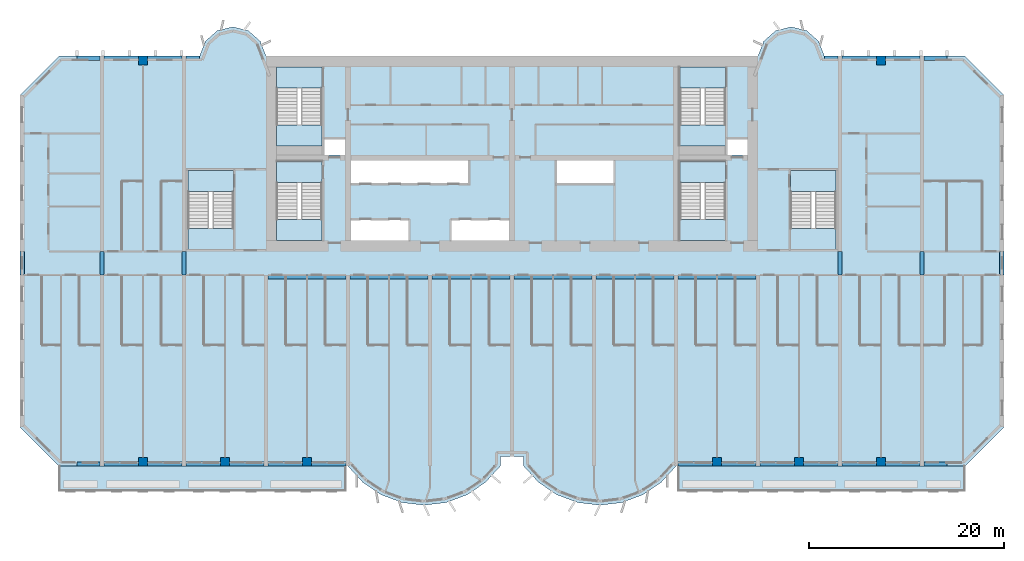
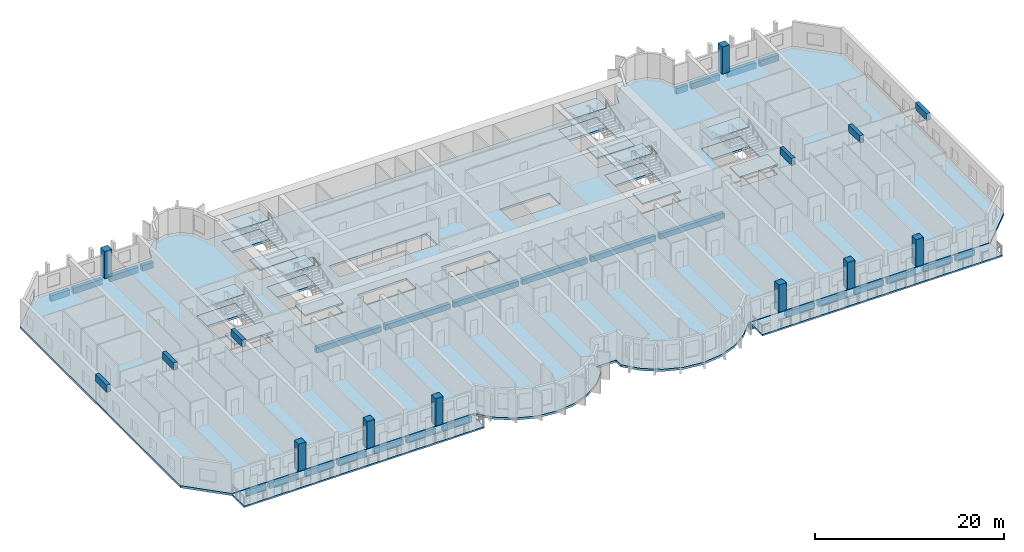
# One storey, part 1 of 15: 34 beams, 21 slabs, 8 columns, 6 elements without a shape of their own.
"""IFC4 building model written with IfcOpenShell, lengths in metres."""

import ifcopenshell
import ifcopenshell.guid

model = None  # the IFC model being written
_history = None  # IfcOwnerHistory: only IFC2X3 demands one
_inside = {}  # id of a spatial element -> (the spatial element, [elements in it])
_under = {}  # id of a project, library or spatial element -> (it, [spatial elements below it])
_declared = {}  # id of a project -> (the project, [libraries it declares])
_typed = {}  # id of a type object -> (the type object, [elements of that type])
_made_of = {}  # id of a material, layer set ... -> (it, [elements and type objects made of it])


def new_model(schema):
    """Start an empty IFC model of exactly this schema.

    Asked for "IFC4X3", IfcOpenShell would pick the latest addendum, in which some entities
    have other attributes; the version numbers below select the first issue.
    IFC2X3 requires an IfcOwnerHistory on every rooted entity: one is made here for all.
    """
    global model, _history
    if schema == "IFC4X3":
        model = ifcopenshell.file(schema_version=(4, 3, 0, 0))
    else:
        model = ifcopenshell.file(schema=schema)
    _inside.clear()
    _under.clear()
    _declared.clear()
    _typed.clear()
    _made_of.clear()
    _history = None
    if model.schema == "IFC2X3":
        org = make("IfcOrganization", Name="unknown")
        user = make(
            "IfcPersonAndOrganization",
            ThePerson=make("IfcPerson", FamilyName="unknown"),
            TheOrganization=org,
        )
        app = make(
            "IfcApplication",
            ApplicationDeveloper=org,
            Version="unknown",
            ApplicationFullName="unknown",
            ApplicationIdentifier="unknown",
        )
        _history = make(
            "IfcOwnerHistory",
            OwningUser=user,
            OwningApplication=app,
            ChangeAction="ADDED",
            CreationDate=0,
        )
    return model


def make(cls, **values):
    """One entity of the class cls with the attributes given. An attribute that is None is left unset."""
    return model.create_entity(
        cls, **{name: value for name, value in values.items() if value is not None}
    )


def rooted(cls, **values):
    """An entity with a GlobalId (a new one), such as an element, a storey or a relation."""
    return make(cls, GlobalId=ifcopenshell.guid.new(), OwnerHistory=_history, **values)


def si_unit(unit_type, name, prefix=None):
    """IfcSIUnit, for example si_unit("LENGTHUNIT", "METRE", prefix="MILLI")."""
    return make("IfcSIUnit", UnitType=unit_type, Prefix=prefix, Name=name)


def assignment(units):
    """IfcUnitAssignment: the units of a project."""
    return None if units is None else make("IfcUnitAssignment", Units=units)


def point(xyz):
    """IfcCartesianPoint."""
    return None if xyz is None else make("IfcCartesianPoint", Coordinates=xyz)


def direction(xyz):
    """IfcDirection."""
    return None if xyz is None else make("IfcDirection", DirectionRatios=xyz)


def frame(location, z_axis=None, x_axis=None):
    """IfcAxis2Placement3D, a coordinate frame: its origin and axes. An axis left out is left unset."""
    return make(
        "IfcAxis2Placement3D",
        Location=point(location),
        Axis=direction(z_axis),
        RefDirection=direction(x_axis),
    )


def frame_2d(location, x_axis=None):
    """IfcAxis2Placement2D, a coordinate frame in the plane: its origin and x axis."""
    return make(
        "IfcAxis2Placement2D", Location=point(location), RefDirection=direction(x_axis)
    )


def origin():
    """The frame at (0, 0, 0) with its axes left unset."""
    return frame((0.0, 0.0, 0.0))


def origin_2d():
    """The frame at (0, 0) in the plane with its x axis left unset."""
    return frame_2d((0.0, 0.0))


def place(relative_to, where):
    """IfcLocalPlacement: puts the frame where relative to a parent placement (None: the world)."""
    return make(
        "IfcLocalPlacement", PlacementRelTo=relative_to, RelativePlacement=where
    )


def context(
    kind, dimensions, precision=None, world=None, true_north=None, identifier=None
):
    """IfcGeometricRepresentationContext, for example the 3D "Model" context."""
    return make(
        "IfcGeometricRepresentationContext",
        ContextIdentifier=identifier,
        ContextType=kind,
        CoordinateSpaceDimension=dimensions,
        Precision=precision,
        WorldCoordinateSystem=world,
        TrueNorth=true_north,
    )


def subcontext(parent, identifier, kind, view, scale=None):
    """IfcGeometricRepresentationSubContext, for example "Body" below "Model"."""
    return make(
        "IfcGeometricRepresentationSubContext",
        ContextIdentifier=identifier,
        ContextType=kind,
        ParentContext=parent,
        TargetScale=scale,
        TargetView=view,
    )


def project(units=None, contexts=None):
    """IfcProject with its units and contexts."""
    return rooted(
        "IfcProject",
        Name="project",
        RepresentationContexts=contexts,
        UnitsInContext=assignment(units),
    )


def spatial(cls, under=None, at=None, **own):
    """A site, building, storey or space (cls), placed at a placement, below another one or the project."""
    s = rooted(cls, ObjectPlacement=at, **own)
    if under is not None:
        _under.setdefault(under.id(), (under, []))[1].append(s)
    return s


def polyline(points):
    """IfcPolyline through the points."""
    return make("IfcPolyline", Points=[point(p) for p in points])


def profile(cls, at=None, kind="AREA", **sizes):
    """A parametric profile (cls). Its sizes go by their IFC names, for example OverallWidth=200.0."""
    return make(cls, ProfileType=kind, Position=at, **sizes)


def rectangle(**sizes):
    """IfcRectangleProfileDef."""
    return profile("IfcRectangleProfileDef", **sizes)


def outline(outer, holes=None, kind="AREA"):
    """IfcArbitraryClosedProfileDef: a profile drawn as a closed curve; with holes, ...WithVoids."""
    if holes is None:
        return make("IfcArbitraryClosedProfileDef", ProfileType=kind, OuterCurve=outer)
    return make(
        "IfcArbitraryProfileDefWithVoids",
        ProfileType=kind,
        OuterCurve=outer,
        InnerCurves=holes,
    )


def extrude(swept, where, along, depth):
    """IfcExtrudedAreaSolid: the profile swept, set in the frame where, extruded along a direction by depth."""
    return make(
        "IfcExtrudedAreaSolid",
        SweptArea=swept,
        Position=where,
        ExtrudedDirection=direction(along),
        Depth=depth,
    )


def shape(context_of_items, identifier, shape_type, items):
    """IfcShapeRepresentation: the items that make up one representation, for example the "Body"."""
    return make(
        "IfcShapeRepresentation",
        ContextOfItems=context_of_items,
        RepresentationIdentifier=identifier,
        RepresentationType=shape_type,
        Items=items,
    )


def source(mapping_origin, context_of_items, identifier, shape_type, items):
    """IfcRepresentationMap: a shape defined once, which mapped items show again and again."""
    return make(
        "IfcRepresentationMap",
        MappingOrigin=mapping_origin,
        MappedRepresentation=shape(context_of_items, identifier, shape_type, items),
    )


def transform(
    local_origin,
    x_axis=None,
    y_axis=None,
    z_axis=None,
    scale=None,
    scale2=None,
    scale3=None,
    uniform=True,
):
    """IfcCartesianTransformationOperator3D, or its non-uniform kind. x_axis, y_axis, z_axis: its Axis1, 2, 3."""
    if uniform:
        return make(
            "IfcCartesianTransformationOperator3D",
            Axis1=direction(x_axis),
            Axis2=direction(y_axis),
            LocalOrigin=point(local_origin),
            Scale=scale,
            Axis3=direction(z_axis),
        )
    return make(
        "IfcCartesianTransformationOperator3DnonUniform",
        Axis1=direction(x_axis),
        Axis2=direction(y_axis),
        LocalOrigin=point(local_origin),
        Scale=scale,
        Axis3=direction(z_axis),
        Scale2=scale2,
        Scale3=scale3,
    )


def mapped(mapping_source, mapping_target):
    """IfcMappedItem: shows the shape of a source again, moved by a transform."""
    return make(
        "IfcMappedItem", MappingSource=mapping_source, MappingTarget=mapping_target
    )


def material(Name=None, Category=None):
    """IfcMaterial."""
    return make("IfcMaterial", Name=Name, Category=Category)


def layer(
    of_material, thickness, ventilated=None, Name=None, Category=None, Priority=None
):
    """IfcMaterialLayer: one layer of a wall or slab, of a material (None: an air gap)."""
    return make(
        "IfcMaterialLayer",
        Material=of_material,
        LayerThickness=thickness,
        IsVentilated=ventilated,
        Name=Name,
        Category=Category,
        Priority=Priority,
    )


def layer_set(layers, Name=None):
    """IfcMaterialLayerSet."""
    return make("IfcMaterialLayerSet", MaterialLayers=layers, LayerSetName=Name)


def material_profile(
    of_material, cross_section, Name=None, Category=None, Priority=None
):
    """IfcMaterialProfile: a cross section and its material."""
    return make(
        "IfcMaterialProfile",
        Name=Name,
        Material=of_material,
        Profile=cross_section,
        Priority=Priority,
        Category=Category,
    )


def profile_set(profiles, Name=None, composite=None):
    """IfcMaterialProfileSet."""
    return make(
        "IfcMaterialProfileSet",
        Name=Name,
        MaterialProfiles=profiles,
        CompositeProfile=composite,
    )


def made_of(thing, what):
    """Note that an element or type object is made of a material, layer set ...; save() writes the relation."""
    if what is not None:
        _made_of.setdefault(what.id(), (what, []))[1].append(thing)
    return thing


def type_object(cls, material=None, **own):
    """A type object (cls), such as IfcWallType, which elements share."""
    return made_of(rooted(cls, **own), material)


def element(
    cls,
    number,
    at=None,
    inside=None,
    cuts=None,
    type_object=None,
    material=None,
    context=None,
    identifier="Body",
    shape_type=None,
    held_by="IfcProductDefinitionShape",
    body=None,
    shapes=None,
    **own,
):
    """One element of the class cls, such as IfcWall. Its Tag is "e" and its number.

    at: its placement. inside: the storey or other place that contains it. cuts: it is an
    opening in that element (IfcRelVoidsElement). A single representation is given by context,
    identifier, shape_type and body (its items); several are given by shapes. held_by: the class
    of the entity that holds the representations. save() writes the other relations.
    """
    e = rooted(cls, Tag="e%d" % number, ObjectPlacement=at, **own)
    if body is not None:
        shapes = [shape(context, identifier, shape_type, body)]
    if shapes is not None:
        e.Representation = make(held_by, Representations=shapes)
    if inside is not None:
        _inside.setdefault(inside.id(), (inside, []))[1].append(e)
    if cuts is not None:
        rooted(
            "IfcRelVoidsElement", RelatingBuildingElement=cuts, RelatedOpeningElement=e
        )
    if type_object is not None:
        _typed.setdefault(type_object.id(), (type_object, []))[1].append(e)
    return made_of(e, material)


def aggregate(whole, parts):
    """IfcRelAggregates: a whole, such as a stair, and the parts it consists of."""
    return rooted("IfcRelAggregates", RelatingObject=whole, RelatedObjects=parts)


def save(model, path):
    """Write the relations noted so far, then the file.

    IfcRelAggregates (storeys below a building ...), IfcRelContainedInSpatialStructure (elements
    in a storey), IfcRelDefinesByType, IfcRelAssociatesMaterial and IfcRelDeclares: one each for
    every whole, place, type object, material and project.
    """
    for whole, parts in _under.values():
        aggregate(whole, parts)
    for where, things in _inside.values():
        rooted(
            "IfcRelContainedInSpatialStructure",
            RelatedElements=things,
            RelatingStructure=where,
        )
    for kind, things in _typed.values():
        rooted("IfcRelDefinesByType", RelatedObjects=things, RelatingType=kind)
    for what, things in _made_of.values():
        rooted("IfcRelAssociatesMaterial", RelatedObjects=things, RelatingMaterial=what)
    for by, libraries in _declared.values():
        rooted("IfcRelDeclares", RelatingContext=by, RelatedDefinitions=libraries)
    model.write(path)


model = new_model("IFC4")

# Units and contexts
model_context = context("Model", 3, precision=1e-05, world=origin(), true_north=direction((0.0, 1.0)))
body_context = subcontext(model_context, "Body", "Model", "MODEL_VIEW")
ifc_project = project(units=[si_unit("LENGTHUNIT", "METRE"), si_unit("AREAUNIT", "SQUARE_METRE"), si_unit("VOLUMEUNIT", "CUBIC_METRE"), si_unit("PLANEANGLEUNIT", "RADIAN"), si_unit("MASSUNIT", "GRAM", prefix="KILO")], contexts=[model_context])

# Site, building, storey
site_placement = place(None, origin())
site = spatial("IfcSite", under=ifc_project, at=site_placement, CompositionType="ELEMENT")
building_placement = place(site_placement, origin())
building = spatial("IfcBuilding", under=site, at=building_placement, Name="Vanashikhar Sky Hotel", CompositionType="ELEMENT")
storey_placement = place(building_placement, frame((0.0, 0.0, 31.60009765625)))
storey = spatial("IfcBuildingStorey", under=building, at=storey_placement, Name="L06", CompositionType="ELEMENT", Elevation=31.60009765625)

# Columns
ifc_material_1 = material(Name="Concrete M70", Category="concrete")
ifc_material_profile_1 = material_profile(ifc_material_1, rectangle(XDim=0.89990234375, YDim=0.89990234375, at=origin_2d()))
ifc_profile_set_1 = profile_set([ifc_material_profile_1], Name="RC 900x900 column Concrete M70")
column_type = type_object("IfcColumnType", Name="RC 900x900 column Concrete M70", PredefinedType="COLUMN", material=ifc_profile_set_1)
shared_shape_1 = source(origin(), body_context, "Body", "SweptSolid", [
    extrude(rectangle(XDim=0.89990234375, YDim=0.89990234375, at=origin_2d()), origin(), (0.0, 0.0, 1.0), 3.52001953125),
])
for number, where, z_axis, x_axis, name in (
    (1, (12.60009765625, 0.449951171875, 0.0), (0.0, 0.0, 1.0), (1.0, 0.0, 0.0), "CL-L06-CF02"),
    (2, (21.0, 0.449951171875, 0.0), (0.0, 0.0, 1.0), (1.0, 0.0, 0.0), "CL-L06-CF03"),
    (3, (29.39990234375, 0.449951171875, 0.0), (0.0, 0.0, 1.0), (1.0, 0.0, 0.0), "CL-L06-CF04"),
    (4, (71.39990234375, 0.449951171875, 0.0), (0.0, 0.0, 1.0), (1.0, 0.0, 0.0), "CL-L06-CF09"),
    (5, (79.800048828125, 0.449951171875, 0.0), (0.0, 0.0, 1.0), (1.0, 0.0, 0.0), "CL-L06-CF10"),
    (6, (88.199951171875, 0.449951171875, 0.0), (0.0, 0.0, 1.0), (1.0, 0.0, 0.0), "CL-L06-CF11"),
    (7, (12.60009765625, 41.550048828125, 0.0), (0.0, 0.0, 1.0), (1.0, 0.0, 0.0), "CL-L06-CR02"),
    (8, (88.199951171875, 41.550048828125, 0.0), (0.0, 0.0, 1.0), (1.0, 0.0, 0.0), "CL-L06-CR11"),
):
    element("IfcColumn", number, at=place(storey_placement, frame(where, z_axis=z_axis, x_axis=x_axis)), inside=storey, type_object=column_type, Name=name, PredefinedType="COLUMN", context=body_context, shape_type="MappedRepresentation", body=[
        mapped(shared_shape_1, transform((0.0, 0.0, 0.0), scale=1.0)),
    ])

# Beams
ifc_material_2 = material(Name="Concrete M50", Category="concrete")
ifc_material_profile_2 = material_profile(ifc_material_2, rectangle(XDim=0.449951171875, YDim=0.89990234375, at=origin_2d()))
ifc_profile_set_2 = profile_set([ifc_material_profile_2], Name="RC 450x900 beam Concrete M50")
beam_type_1 = type_object("IfcBeamType", Name="RC 450x900 beam Concrete M50", PredefinedType="LINTEL", material=ifc_profile_set_2)
shared_shape_2 = source(origin(), body_context, "Body", "SweptSolid", [
    extrude(rectangle(XDim=0.449951171875, YDim=0.89990234375, at=origin_2d()), origin(), (0.0, 0.0, 1.0), 2.39990234375),
])
for number, where, z_axis, x_axis, name in (
    (9, (0.22509765625, 19.60009765625, 3.06982421875), (0.0, 1.0, 0.0), (-1.0, 0.0, 0.0), "LB-L06-XW01"),
    (10, (8.39990234375, 19.60009765625, 3.06982421875), (0.0, 1.0, 0.0), (-1.0, 0.0, 0.0), "LB-L06-XW02"),
    (11, (16.800048828125, 19.60009765625, 3.06982421875), (0.0, 1.0, 0.0), (-1.0, 0.0, 0.0), "LB-L06-XW03"),
    (12, (84.0, 19.60009765625, 3.06982421875), (0.0, 1.0, 0.0), (-1.0, 0.0, 0.0), "LB-L06-XW11"),
    (13, (92.39990234375, 19.60009765625, 3.06982421875), (0.0, 1.0, 0.0), (-1.0, 0.0, 0.0), "LB-L06-XW12"),
    (14, (100.574951171875, 19.60009765625, 3.06982421875), (0.0, 1.0, 0.0), (-1.0, 0.0, 0.0), "LB-L06-XW13"),
):
    element("IfcBeam", number, at=place(storey_placement, frame(where, z_axis=z_axis, x_axis=x_axis)), inside=storey, type_object=beam_type_1, Name=name, PredefinedType="LINTEL", context=body_context, shape_type="MappedRepresentation", body=[
        mapped(shared_shape_2, transform((0.0, 0.0, 0.0), scale=1.0)),
    ])
ifc_material_profile_3 = material_profile(ifc_material_2, rectangle(XDim=0.449951171875, YDim=0.75, at=origin_2d()))
ifc_profile_set_3 = profile_set([ifc_material_profile_3], Name="RC 450x750 beam Concrete M50")
beam_type_2 = type_object("IfcBeamType", Name="RC 450x750 beam Concrete M50", PredefinedType="SPANDREL", material=ifc_profile_set_3)
shared_shape_3 = source(origin(), body_context, "Body", "SweptSolid", [
    extrude(rectangle(XDim=0.449951171875, YDim=0.75, at=origin_2d()), origin(), (0.0, 0.0, 1.0), 3.52490234375),
])
for number, where, z_axis, x_axis, name in (
    (15, (8.625, 0.22509765625, -0.655029296875), (1.0, 0.0, 0.0), (0.0, 1.0, 0.0), "EB-L06-F01"),
    (16, (13.050048828125, 0.22509765625, -0.655029296875), (1.0, 0.0, 0.0), (0.0, 1.0, 0.0), "EB-L06-F02"),
    (17, (25.425048828125, 0.22509765625, -0.655029296875), (1.0, 0.0, 0.0), (0.0, 1.0, 0.0), "EB-L06-F05"),
    (18, (29.85009765625, 0.22509765625, -0.655029296875), (1.0, 0.0, 0.0), (0.0, 1.0, 0.0), "EB-L06-F06"),
    (19, (67.425048828125, 0.22509765625, -0.655029296875), (1.0, 0.0, 0.0), (0.0, 1.0, 0.0), "EB-L06-F08"),
    (20, (71.85009765625, 0.22509765625, -0.655029296875), (1.0, 0.0, 0.0), (0.0, 1.0, 0.0), "EB-L06-F09"),
    (21, (80.25, 0.22509765625, -0.655029296875), (1.0, 0.0, 0.0), (0.0, 1.0, 0.0), "EB-L06-F11"),
    (22, (84.22509765625, 0.22509765625, -0.655029296875), (1.0, 0.0, 0.0), (0.0, 1.0, 0.0), "EB-L06-F12"),
    (23, (8.625, 41.77490234375, -0.655029296875), (1.0, 0.0, 0.0), (0.0, 1.0, 0.0), "EB-L06-R01"),
    (24, (13.050048828125, 41.77490234375, -0.655029296875), (1.0, 0.0, 0.0), (0.0, 1.0, 0.0), "EB-L06-R02"),
    (25, (84.22509765625, 41.77490234375, -0.655029296875), (1.0, 0.0, 0.0), (0.0, 1.0, 0.0), "EB-L06-R05"),
):
    element("IfcBeam", number, at=place(storey_placement, frame(where, z_axis=z_axis, x_axis=x_axis)), inside=storey, type_object=beam_type_2, Name=name, PredefinedType="SPANDREL", context=body_context, shape_type="MappedRepresentation", body=[
        mapped(shared_shape_3, transform((0.0, 0.0, 0.0), scale=1.0)),
    ])
shared_shape_4 = source(origin(), body_context, "Body", "SweptSolid", [
    extrude(rectangle(XDim=0.449951171875, YDim=0.75, at=origin_2d()), origin(), (0.0, 0.0, 1.0), 3.525146484375),
])
for number, where, z_axis, x_axis, name in (
    (26, (17.02490234375, 0.22509765625, -0.655029296875), (1.0, 0.0, 0.0), (0.0, 1.0, 0.0), "EB-L06-F03"),
    (27, (21.449951171875, 0.22509765625, -0.655029296875), (1.0, 0.0, 0.0), (0.0, 1.0, 0.0), "EB-L06-F04"),
    (28, (75.824951171875, 0.22509765625, -0.655029296875), (1.0, 0.0, 0.0), (0.0, 1.0, 0.0), "EB-L06-F10"),
    (29, (88.64990234375, 0.22509765625, -0.655029296875), (1.0, 0.0, 0.0), (0.0, 1.0, 0.0), "EB-L06-F13"),
    (30, (88.64990234375, 41.77490234375, -0.655029296875), (1.0, 0.0, 0.0), (0.0, 1.0, 0.0), "EB-L06-R06"),
):
    element("IfcBeam", number, at=place(storey_placement, frame(where, z_axis=z_axis, x_axis=x_axis)), inside=storey, type_object=beam_type_2, Name=name, PredefinedType="SPANDREL", context=body_context, shape_type="MappedRepresentation", body=[
        mapped(shared_shape_4, transform((0.0, 0.0, 0.0), scale=1.0)),
    ])
ifc_material_profile_4 = material_profile(ifc_material_2, rectangle(XDim=0.449951171875, YDim=0.75, at=origin_2d()))
ifc_profile_set_4 = profile_set([ifc_material_profile_4], Name="RC 450x750 cantilever beam Concrete M50")
beam_type_3 = type_object("IfcBeamType", Name="RC 450x750 cantilever beam Concrete M50", PredefinedType="SPANDREL", material=ifc_profile_set_4)
shared_shape_5 = source(origin(), body_context, "Body", "SweptSolid", [
    extrude(rectangle(XDim=0.449951171875, YDim=0.75, at=origin_2d()), origin(), (0.0, 0.0, 1.0), 2.330078125),
])
for number, where, z_axis, x_axis, name in (
    (31, (5.844970703125, 0.22509765625, -0.655029296875), (1.0, 0.0, 0.0), (0.0, 1.0, 0.0), "EB-L06-F07"),
    (32, (92.625, 0.22509765625, -0.655029296875), (1.0, 0.0, 0.0), (0.0, 1.0, 0.0), "EB-L06-F14"),
    (33, (5.844970703125, 41.77490234375, -0.655029296875), (1.0, 0.0, 0.0), (0.0, 1.0, 0.0), "EB-L06-R03"),
    (34, (92.625, 41.77490234375, -0.655029296875), (1.0, 0.0, 0.0), (0.0, 1.0, 0.0), "EB-L06-R08"),
):
    element("IfcBeam", number, at=place(storey_placement, frame(where, z_axis=z_axis, x_axis=x_axis)), inside=storey, type_object=beam_type_3, Name=name, PredefinedType="SPANDREL", context=body_context, shape_type="MappedRepresentation", body=[
        mapped(shared_shape_5, transform((0.0, 0.0, 0.0), scale=1.0)),
    ])
shared_shape_6 = source(origin(), body_context, "Body", "SweptSolid", [
    extrude(rectangle(XDim=0.449951171875, YDim=0.75, at=origin_2d()), origin(), (0.0, 0.0, 1.0), 1.375),
])
for number, where, z_axis, x_axis, name in (
    (35, (17.02490234375, 41.77490234375, -0.655029296875), (1.0, 0.0, 0.0), (0.0, 1.0, 0.0), "EB-L06-R04"),
    (36, (82.39990234375, 41.77490234375, -0.655029296875), (1.0, 0.0, 0.0), (0.0, 1.0, 0.0), "EB-L06-R07"),
):
    element("IfcBeam", number, at=place(storey_placement, frame(where, z_axis=z_axis, x_axis=x_axis)), inside=storey, type_object=beam_type_3, Name=name, PredefinedType="SPANDREL", context=body_context, shape_type="MappedRepresentation", body=[
        mapped(shared_shape_6, transform((0.0, 0.0, 0.0), scale=1.0)),
    ])
ifc_material_profile_5 = material_profile(ifc_material_2, rectangle(XDim=0.449951171875, YDim=0.699951171875, at=origin_2d()))
ifc_profile_set_5 = profile_set([ifc_material_profile_5], Name="RC 450x700 beam Concrete M50")
beam_type_4 = type_object("IfcBeamType", Name="RC 450x700 beam Concrete M50", PredefinedType="BEAM", material=ifc_profile_set_5)
shared_shape_7 = source(origin(), body_context, "Body", "SweptSolid", [
    extrude(rectangle(XDim=0.449951171875, YDim=0.699951171875, at=origin_2d()), origin(), (0.0, 0.0, 1.0), 7.949951171875),
])
for number, where, z_axis, x_axis, name in (
    (37, (25.425048828125, 19.375, -0.630126953125), (1.0, 0.0, 0.0), (0.0, 1.0, 0.0), "CB-L06-01"),
    (38, (33.824951171875, 19.375, -0.630126953125), (1.0, 0.0, 0.0), (0.0, 1.0, 0.0), "CB-L06-02"),
    (39, (42.22509765625, 19.375, -0.630126953125), (1.0, 0.0, 0.0), (0.0, 1.0, 0.0), "CB-L06-03"),
    (40, (50.625, 19.375, -0.630126953125), (1.0, 0.0, 0.0), (0.0, 1.0, 0.0), "CB-L06-04"),
    (41, (67.425048828125, 19.375, -0.630126953125), (1.0, 0.0, 0.0), (0.0, 1.0, 0.0), "CB-L06-06"),
):
    element("IfcBeam", number, at=place(storey_placement, frame(where, z_axis=z_axis, x_axis=x_axis)), inside=storey, type_object=beam_type_4, Name=name, PredefinedType="BEAM", context=body_context, shape_type="MappedRepresentation", body=[
        mapped(shared_shape_7, transform((0.0, 0.0, 0.0), scale=1.0)),
    ])
shared_shape_8 = source(origin(), body_context, "Body", "SweptSolid", [
    extrude(rectangle(XDim=0.449951171875, YDim=0.699951171875, at=origin_2d()), origin(), (0.0, 0.0, 1.0), 7.9501953125),
])
beam_placement = place(storey_placement, frame((59.02490234375, 19.375, -0.630126953125), z_axis=(1.0, 0.0, 0.0), x_axis=(0.0, 1.0, 0.0)))
element("IfcBeam", 42, at=beam_placement, inside=storey, type_object=beam_type_4, Name="CB-L06-05", PredefinedType="BEAM", context=body_context, shape_type="MappedRepresentation", body=[
    mapped(shared_shape_8, transform((0.0, 0.0, 0.0), scale=1.0)),
])

# Slabs
ifc_material_3 = material(Name="Concrete M40", Category="concrete")
ifc_layer_1 = layer(ifc_material_3, 0.280029296875)
ifc_layer_set_1 = layer_set([ifc_layer_1], Name="Floor slab 280 mm")
slab_type_1 = type_object("IfcSlabType", Name="Floor slab 280 mm", PredefinedType="FLOOR", material=ifc_layer_set_1)
shared_shape_9 = source(origin(), body_context, "Body", "SweptSolid", [
    extrude(outline(polyline([(49.199951171875, 0.0), (49.199951171875, 1.0), (51.60009765625, 1.0), (51.60009765625, 0.0), (53.133056640625, -1.674072265625), (55.01708984375, -2.94189453125), (57.14599609375, -3.73193359375), (59.39990234375, -4.0), (61.654052734375, -3.73193359375), (63.782958984375, -2.94189453125), (65.6669921875, -1.674072265625), (67.199951171875, 0.0), (96.800048828125, 0.0), (100.800048828125, 4.0), (100.800048828125, 38.0), (96.800048828125, 42.0), (82.39990234375, 42.0), (81.81494140625, 43.527099609375), (80.587890625, 44.610107421875), (79.0, 45.0), (77.412109375, 44.610107421875), (76.18505859375, 43.527099609375), (75.60009765625, 42.0), (25.199951171875, 42.0), (24.614990234375, 43.527099609375), (23.387939453125, 44.610107421875), (21.800048828125, 45.0), (20.2119140625, 44.610107421875), (18.985107421875, 43.527099609375), (18.39990234375, 42.0), (4.0, 42.0), (0.0, 38.0), (0.0, 4.0), (4.0, 0.0), (33.60009765625, 0.0), (35.133056640625, -1.674072265625), (37.01708984375, -2.94189453125), (39.14599609375, -3.73193359375), (41.39990234375, -4.0), (43.654052734375, -3.73193359375), (45.782958984375, -2.94189453125), (47.6669921875, -1.674072265625), (49.199951171875, 0.0)]), holes=[polyline([(33.300048828125, 33.60009765625), (31.050048828125, 33.60009765625), (31.050048828125, 31.89990234375), (33.300048828125, 31.89990234375), (33.300048828125, 33.60009765625)]), polyline([(33.89990234375, 25.199951171875), (33.89990234375, 23.10009765625), (39.89990234375, 23.10009765625), (39.89990234375, 25.199951171875), (33.89990234375, 25.199951171875)]), polyline([(33.89990234375, 31.300048828125), (33.89990234375, 29.0), (45.89990234375, 29.0), (45.89990234375, 31.300048828125), (33.89990234375, 31.300048828125)]), polyline([(44.10009765625, 25.199951171875), (44.10009765625, 23.10009765625), (50.10009765625, 23.10009765625), (50.10009765625, 25.199951171875), (44.10009765625, 25.199951171875)]), polyline([(54.89990234375, 31.300048828125), (54.89990234375, 29.0), (60.89990234375, 29.0), (60.89990234375, 31.300048828125), (54.89990234375, 31.300048828125)]), polyline([(74.5, 33.60009765625), (72.35009765625, 33.60009765625), (72.35009765625, 31.89990234375), (74.5, 31.89990234375), (74.5, 33.60009765625)]), polyline([(30.949951171875, 23.10009765625), (30.949951171875, 31.199951171875), (26.300048828125, 31.199951171875), (26.300048828125, 23.10009765625), (30.949951171875, 23.10009765625)]), polyline([(72.25, 23.10009765625), (72.25, 31.199951171875), (67.60009765625, 31.199951171875), (67.60009765625, 23.10009765625), (72.25, 23.10009765625)]), polyline([(30.949951171875, 32.800048828125), (30.949951171875, 40.89990234375), (26.300048828125, 40.89990234375), (26.300048828125, 32.800048828125), (30.949951171875, 32.800048828125)]), polyline([(72.25, 32.800048828125), (72.25, 40.89990234375), (67.60009765625, 40.89990234375), (67.60009765625, 32.800048828125), (72.25, 32.800048828125)]), polyline([(83.60009765625, 22.199951171875), (83.60009765625, 30.300048828125), (78.949951171875, 30.300048828125), (78.949951171875, 22.199951171875), (83.60009765625, 22.199951171875)]), polyline([(21.85009765625, 22.199951171875), (21.85009765625, 30.300048828125), (17.199951171875, 30.300048828125), (17.199951171875, 22.199951171875), (21.85009765625, 22.199951171875)])]), origin(), (0.0, 0.0, 1.0), 0.280029296875),
])
slab_1_placement = place(storey_placement, frame((0.0, 0.0, -0.280029296875)))
element("IfcSlab", 43, at=slab_1_placement, inside=storey, type_object=slab_type_1, Name="Floor slab L06", PredefinedType="FLOOR", context=body_context, shape_type="MappedRepresentation", body=[
    mapped(shared_shape_9, transform((0.0, 0.0, 0.0), scale=1.0)),
])
ifc_layer_2 = layer(ifc_material_3, 0.199951171875)
ifc_layer_set_2 = layer_set([ifc_layer_2], Name="Balcony slab 200 mm")
slab_type_2 = type_object("IfcSlabType", Name="Balcony slab 200 mm", PredefinedType="USERDEFINED", material=ifc_layer_set_2)
shared_shape_10 = source(origin(), body_context, "Body", "SweptSolid", [
    extrude(outline(polyline([(4.0, -2.60009765625), (33.39990234375, -2.60009765625), (33.39990234375, 0.0), (4.0, 0.0), (4.0, -2.60009765625)])), origin(), (0.0, 0.0, 1.0), 0.199951171875),
])
slab_2_placement = place(storey_placement, frame((0.0, 0.0, -0.25)))
element("IfcSlab", 44, at=slab_2_placement, inside=storey, type_object=slab_type_2, Name="Balcony slab L06 1", ObjectType="BALCONY", PredefinedType="USERDEFINED", context=body_context, shape_type="MappedRepresentation", body=[
    mapped(shared_shape_10, transform((0.0, 0.0, 0.0), scale=1.0)),
])
shared_shape_11 = source(origin(), body_context, "Body", "SweptSolid", [
    extrude(outline(polyline([(67.39990234375, -2.60009765625), (96.800048828125, -2.60009765625), (96.800048828125, 0.0), (67.39990234375, 0.0), (67.39990234375, -2.60009765625)])), origin(), (0.0, 0.0, 1.0), 0.199951171875),
])
slab_3_placement = place(storey_placement, frame((0.0, 0.0, -0.25)))
element("IfcSlab", 45, at=slab_3_placement, inside=storey, type_object=slab_type_2, Name="Balcony slab L06 2", ObjectType="BALCONY", PredefinedType="USERDEFINED", context=body_context, shape_type="MappedRepresentation", body=[
    mapped(shared_shape_11, transform((0.0, 0.0, 0.0), scale=1.0)),
])

# Stair, slabs
stair_type = type_object("IfcStairType", Name="Exit stair 2150", PredefinedType="DOUBLE_RETURN_STAIR", material=ifc_material_3)
stair_1_placement = place(storey_placement, origin())
stair_1 = element("IfcStair", 46, at=stair_1_placement, inside=storey, type_object=stair_type, Name="L06 Exit stair 1", PredefinedType="DOUBLE_RETURN_STAIR")
ifc_layer_3 = layer(ifc_material_3, 0.199951171875)
ifc_layer_set_3 = layer_set([ifc_layer_3], Name="Stair landing 200")
slab_type_3 = type_object("IfcSlabType", Name="Stair landing 200", PredefinedType="LANDING", material=ifc_layer_set_3)
shared_shape_12 = source(origin(), body_context, "Body", "SweptSolid", [
    extrude(outline(polyline([(30.949951171875, 29.050048828125), (30.949951171875, 31.199951171875), (26.300048828125, 31.199951171875), (26.300048828125, 29.050048828125), (30.949951171875, 29.050048828125)])), origin(), (0.0, 0.0, 1.0), 0.199951171875),
])
slab_4_placement = place(storey_placement, frame((0.0, 0.0, 2.333251953125)))
slab_4 = element("IfcSlab", 47, at=slab_4_placement, type_object=slab_type_3, Name="ST-C1 landing 2", PredefinedType="LANDING", context=body_context, shape_type="MappedRepresentation", body=[
    mapped(shared_shape_12, transform((0.0, 0.0, 0.0), scale=1.0)),
])
shared_shape_13 = source(origin(), body_context, "Body", "SweptSolid", [
    extrude(outline(polyline([(30.949951171875, 23.10009765625), (30.949951171875, 25.25), (26.300048828125, 25.25), (26.300048828125, 23.10009765625), (30.949951171875, 23.10009765625)])), origin(), (0.0, 0.0, 1.0), 0.199951171875),
])
slab_5_placement = place(storey_placement, frame((0.0, 0.0, 1.066650390625)))
slab_5 = element("IfcSlab", 48, at=slab_5_placement, type_object=slab_type_3, Name="ST-C1 landing 1", PredefinedType="LANDING", context=body_context, shape_type="MappedRepresentation", body=[
    mapped(shared_shape_13, transform((0.0, 0.0, 0.0), scale=1.0)),
])
aggregate(stair_1, [slab_5, slab_4])

# Slab
ifc_layer_4 = layer(ifc_material_3, 0.280029296875)
ifc_layer_set_4 = layer_set([ifc_layer_4], Name="Stair floor landing 280")
slab_type_4 = type_object("IfcSlabType", Name="Stair floor landing 280", PredefinedType="LANDING", material=ifc_layer_set_4)
shared_shape_14 = source(origin(), body_context, "Body", "SweptSolid", [
    extrude(outline(polyline([(30.949951171875, 29.050048828125), (30.949951171875, 31.199951171875), (26.300048828125, 31.199951171875), (26.300048828125, 29.050048828125), (30.949951171875, 29.050048828125)])), origin(), (0.0, 0.0, 1.0), 0.280029296875),
])
slab_6_placement = place(storey_placement, frame((0.0, 0.0, -0.280029296875)))
element("IfcSlab", 49, at=slab_6_placement, inside=storey, type_object=slab_type_4, Name="Exit stair 1 floor landing", PredefinedType="LANDING", context=body_context, shape_type="MappedRepresentation", body=[
    mapped(shared_shape_14, transform((0.0, 0.0, 0.0), scale=1.0)),
])

# Stair, slabs
stair_2_placement = place(storey_placement, origin())
stair_2 = element("IfcStair", 50, at=stair_2_placement, inside=storey, type_object=stair_type, Name="L06 Exit stair 2", PredefinedType="DOUBLE_RETURN_STAIR")
shared_shape_15 = source(origin(), body_context, "Body", "SweptSolid", [
    extrude(outline(polyline([(72.25, 29.050048828125), (72.25, 31.199951171875), (67.60009765625, 31.199951171875), (67.60009765625, 29.050048828125), (72.25, 29.050048828125)])), origin(), (0.0, 0.0, 1.0), 0.199951171875),
])
slab_7_placement = place(storey_placement, frame((0.0, 0.0, 2.333251953125)))
slab_7 = element("IfcSlab", 51, at=slab_7_placement, type_object=slab_type_3, Name="ST-C2 landing 2", PredefinedType="LANDING", context=body_context, shape_type="MappedRepresentation", body=[
    mapped(shared_shape_15, transform((0.0, 0.0, 0.0), scale=1.0)),
])
shared_shape_16 = source(origin(), body_context, "Body", "SweptSolid", [
    extrude(outline(polyline([(72.25, 23.10009765625), (72.25, 25.25), (67.60009765625, 25.25), (67.60009765625, 23.10009765625), (72.25, 23.10009765625)])), origin(), (0.0, 0.0, 1.0), 0.199951171875),
])
slab_8_placement = place(storey_placement, frame((0.0, 0.0, 1.066650390625)))
slab_8 = element("IfcSlab", 52, at=slab_8_placement, type_object=slab_type_3, Name="ST-C2 landing 1", PredefinedType="LANDING", context=body_context, shape_type="MappedRepresentation", body=[
    mapped(shared_shape_16, transform((0.0, 0.0, 0.0), scale=1.0)),
])
aggregate(stair_2, [slab_8, slab_7])

# Slab
shared_shape_17 = source(origin(), body_context, "Body", "SweptSolid", [
    extrude(outline(polyline([(72.25, 29.050048828125), (72.25, 31.199951171875), (67.60009765625, 31.199951171875), (67.60009765625, 29.050048828125), (72.25, 29.050048828125)])), origin(), (0.0, 0.0, 1.0), 0.280029296875),
])
slab_9_placement = place(storey_placement, frame((0.0, 0.0, -0.280029296875)))
element("IfcSlab", 53, at=slab_9_placement, inside=storey, type_object=slab_type_4, Name="Exit stair 2 floor landing", PredefinedType="LANDING", context=body_context, shape_type="MappedRepresentation", body=[
    mapped(shared_shape_17, transform((0.0, 0.0, 0.0), scale=1.0)),
])

# Stair, slabs
stair_3_placement = place(storey_placement, origin())
stair_3 = element("IfcStair", 54, at=stair_3_placement, inside=storey, type_object=stair_type, Name="L06 Exit stair 3", PredefinedType="DOUBLE_RETURN_STAIR")
shared_shape_18 = source(origin(), body_context, "Body", "SweptSolid", [
    extrude(outline(polyline([(21.85009765625, 28.14990234375), (21.85009765625, 30.300048828125), (17.199951171875, 30.300048828125), (17.199951171875, 28.14990234375), (21.85009765625, 28.14990234375)])), origin(), (0.0, 0.0, 1.0), 0.199951171875),
])
slab_10_placement = place(storey_placement, frame((0.0, 0.0, 2.333251953125)))
slab_10 = element("IfcSlab", 55, at=slab_10_placement, type_object=slab_type_3, Name="ST-W landing 2", PredefinedType="LANDING", context=body_context, shape_type="MappedRepresentation", body=[
    mapped(shared_shape_18, transform((0.0, 0.0, 0.0), scale=1.0)),
])
shared_shape_19 = source(origin(), body_context, "Body", "SweptSolid", [
    extrude(outline(polyline([(21.85009765625, 22.199951171875), (21.85009765625, 24.35009765625), (17.199951171875, 24.35009765625), (17.199951171875, 22.199951171875), (21.85009765625, 22.199951171875)])), origin(), (0.0, 0.0, 1.0), 0.199951171875),
])
slab_11_placement = place(storey_placement, frame((0.0, 0.0, 1.066650390625)))
slab_11 = element("IfcSlab", 56, at=slab_11_placement, type_object=slab_type_3, Name="ST-W landing 1", PredefinedType="LANDING", context=body_context, shape_type="MappedRepresentation", body=[
    mapped(shared_shape_19, transform((0.0, 0.0, 0.0), scale=1.0)),
])
aggregate(stair_3, [slab_11, slab_10])

# Slab
shared_shape_20 = source(origin(), body_context, "Body", "SweptSolid", [
    extrude(outline(polyline([(21.85009765625, 28.14990234375), (21.85009765625, 30.300048828125), (17.199951171875, 30.300048828125), (17.199951171875, 28.14990234375), (21.85009765625, 28.14990234375)])), origin(), (0.0, 0.0, 1.0), 0.280029296875),
])
slab_12_placement = place(storey_placement, frame((0.0, 0.0, -0.280029296875)))
element("IfcSlab", 57, at=slab_12_placement, inside=storey, type_object=slab_type_4, Name="Exit stair 3 floor landing", PredefinedType="LANDING", context=body_context, shape_type="MappedRepresentation", body=[
    mapped(shared_shape_20, transform((0.0, 0.0, 0.0), scale=1.0)),
])

# Stair, slabs
stair_4_placement = place(storey_placement, origin())
stair_4 = element("IfcStair", 58, at=stair_4_placement, inside=storey, type_object=stair_type, Name="L06 Exit stair 4", PredefinedType="DOUBLE_RETURN_STAIR")
shared_shape_21 = source(origin(), body_context, "Body", "SweptSolid", [
    extrude(outline(polyline([(83.60009765625, 28.14990234375), (83.60009765625, 30.300048828125), (78.949951171875, 30.300048828125), (78.949951171875, 28.14990234375), (83.60009765625, 28.14990234375)])), origin(), (0.0, 0.0, 1.0), 0.199951171875),
])
slab_13_placement = place(storey_placement, frame((0.0, 0.0, 2.333251953125)))
slab_13 = element("IfcSlab", 59, at=slab_13_placement, type_object=slab_type_3, Name="ST-E landing 2", PredefinedType="LANDING", context=body_context, shape_type="MappedRepresentation", body=[
    mapped(shared_shape_21, transform((0.0, 0.0, 0.0), scale=1.0)),
])
shared_shape_22 = source(origin(), body_context, "Body", "SweptSolid", [
    extrude(outline(polyline([(83.60009765625, 22.199951171875), (83.60009765625, 24.35009765625), (78.949951171875, 24.35009765625), (78.949951171875, 22.199951171875), (83.60009765625, 22.199951171875)])), origin(), (0.0, 0.0, 1.0), 0.199951171875),
])
slab_14_placement = place(storey_placement, frame((0.0, 0.0, 1.066650390625)))
slab_14 = element("IfcSlab", 60, at=slab_14_placement, type_object=slab_type_3, Name="ST-E landing 1", PredefinedType="LANDING", context=body_context, shape_type="MappedRepresentation", body=[
    mapped(shared_shape_22, transform((0.0, 0.0, 0.0), scale=1.0)),
])
aggregate(stair_4, [slab_14, slab_13])

# Slab
shared_shape_23 = source(origin(), body_context, "Body", "SweptSolid", [
    extrude(outline(polyline([(83.60009765625, 28.14990234375), (83.60009765625, 30.300048828125), (78.949951171875, 30.300048828125), (78.949951171875, 28.14990234375), (83.60009765625, 28.14990234375)])), origin(), (0.0, 0.0, 1.0), 0.280029296875),
])
slab_15_placement = place(storey_placement, frame((0.0, 0.0, -0.280029296875)))
element("IfcSlab", 61, at=slab_15_placement, inside=storey, type_object=slab_type_4, Name="Exit stair 4 floor landing", PredefinedType="LANDING", context=body_context, shape_type="MappedRepresentation", body=[
    mapped(shared_shape_23, transform((0.0, 0.0, 0.0), scale=1.0)),
])

# Stair, slabs
stair_5_placement = place(storey_placement, origin())
stair_5 = element("IfcStair", 62, at=stair_5_placement, inside=storey, type_object=stair_type, Name="L06 Exit stair 5", PredefinedType="DOUBLE_RETURN_STAIR")
shared_shape_24 = source(origin(), body_context, "Body", "SweptSolid", [
    extrude(outline(polyline([(30.949951171875, 38.75), (30.949951171875, 40.89990234375), (26.300048828125, 40.89990234375), (26.300048828125, 38.75), (30.949951171875, 38.75)])), origin(), (0.0, 0.0, 1.0), 0.199951171875),
])
slab_16_placement = place(storey_placement, frame((0.0, 0.0, 2.333251953125)))
slab_16 = element("IfcSlab", 63, at=slab_16_placement, type_object=slab_type_3, Name="ST-C3 landing 2", PredefinedType="LANDING", context=body_context, shape_type="MappedRepresentation", body=[
    mapped(shared_shape_24, transform((0.0, 0.0, 0.0), scale=1.0)),
])
shared_shape_25 = source(origin(), body_context, "Body", "SweptSolid", [
    extrude(outline(polyline([(30.949951171875, 32.800048828125), (30.949951171875, 34.949951171875), (26.300048828125, 34.949951171875), (26.300048828125, 32.800048828125), (30.949951171875, 32.800048828125)])), origin(), (0.0, 0.0, 1.0), 0.199951171875),
])
slab_17_placement = place(storey_placement, frame((0.0, 0.0, 1.066650390625)))
slab_17 = element("IfcSlab", 64, at=slab_17_placement, type_object=slab_type_3, Name="ST-C3 landing 1", PredefinedType="LANDING", context=body_context, shape_type="MappedRepresentation", body=[
    mapped(shared_shape_25, transform((0.0, 0.0, 0.0), scale=1.0)),
])
aggregate(stair_5, [slab_17, slab_16])

# Slab
shared_shape_26 = source(origin(), body_context, "Body", "SweptSolid", [
    extrude(outline(polyline([(30.949951171875, 38.75), (30.949951171875, 40.89990234375), (26.300048828125, 40.89990234375), (26.300048828125, 38.75), (30.949951171875, 38.75)])), origin(), (0.0, 0.0, 1.0), 0.280029296875),
])
slab_18_placement = place(storey_placement, frame((0.0, 0.0, -0.280029296875)))
element("IfcSlab", 65, at=slab_18_placement, inside=storey, type_object=slab_type_4, Name="Exit stair 5 floor landing", PredefinedType="LANDING", context=body_context, shape_type="MappedRepresentation", body=[
    mapped(shared_shape_26, transform((0.0, 0.0, 0.0), scale=1.0)),
])

# Stair, slabs
stair_6_placement = place(storey_placement, origin())
stair_6 = element("IfcStair", 66, at=stair_6_placement, inside=storey, type_object=stair_type, Name="L06 Exit stair 6", PredefinedType="DOUBLE_RETURN_STAIR")
shared_shape_27 = source(origin(), body_context, "Body", "SweptSolid", [
    extrude(outline(polyline([(72.25, 38.75), (72.25, 40.89990234375), (67.60009765625, 40.89990234375), (67.60009765625, 38.75), (72.25, 38.75)])), origin(), (0.0, 0.0, 1.0), 0.199951171875),
])
slab_19_placement = place(storey_placement, frame((0.0, 0.0, 2.333251953125)))
slab_19 = element("IfcSlab", 67, at=slab_19_placement, type_object=slab_type_3, Name="ST-C4 landing 2", PredefinedType="LANDING", context=body_context, shape_type="MappedRepresentation", body=[
    mapped(shared_shape_27, transform((0.0, 0.0, 0.0), scale=1.0)),
])
shared_shape_28 = source(origin(), body_context, "Body", "SweptSolid", [
    extrude(outline(polyline([(72.25, 32.800048828125), (72.25, 34.949951171875), (67.60009765625, 34.949951171875), (67.60009765625, 32.800048828125), (72.25, 32.800048828125)])), origin(), (0.0, 0.0, 1.0), 0.199951171875),
])
slab_20_placement = place(storey_placement, frame((0.0, 0.0, 1.066650390625)))
slab_20 = element("IfcSlab", 68, at=slab_20_placement, type_object=slab_type_3, Name="ST-C4 landing 1", PredefinedType="LANDING", context=body_context, shape_type="MappedRepresentation", body=[
    mapped(shared_shape_28, transform((0.0, 0.0, 0.0), scale=1.0)),
])
aggregate(stair_6, [slab_20, slab_19])

# Slab
shared_shape_29 = source(origin(), body_context, "Body", "SweptSolid", [
    extrude(outline(polyline([(72.25, 38.75), (72.25, 40.89990234375), (67.60009765625, 40.89990234375), (67.60009765625, 38.75), (72.25, 38.75)])), origin(), (0.0, 0.0, 1.0), 0.280029296875),
])
slab_21_placement = place(storey_placement, frame((0.0, 0.0, -0.280029296875)))
element("IfcSlab", 69, at=slab_21_placement, inside=storey, type_object=slab_type_4, Name="Exit stair 6 floor landing", PredefinedType="LANDING", context=body_context, shape_type="MappedRepresentation", body=[
    mapped(shared_shape_29, transform((0.0, 0.0, 0.0), scale=1.0)),
])

save(model, "model.ifc")
